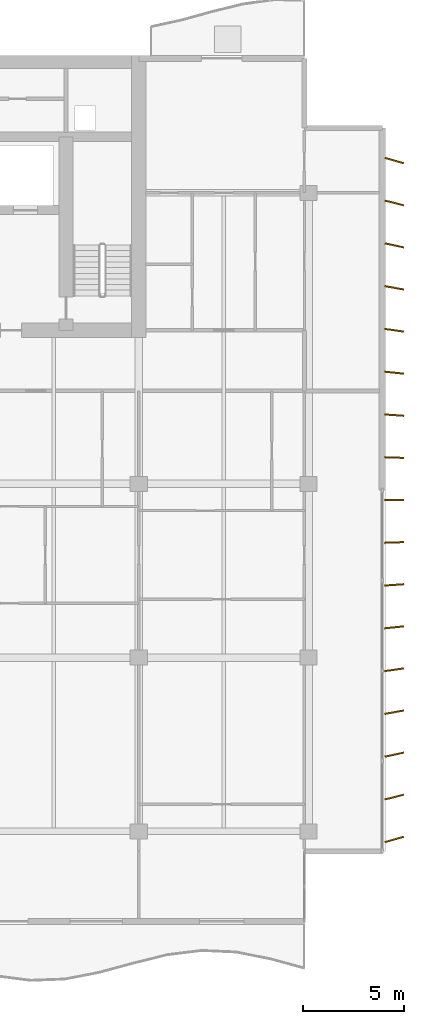
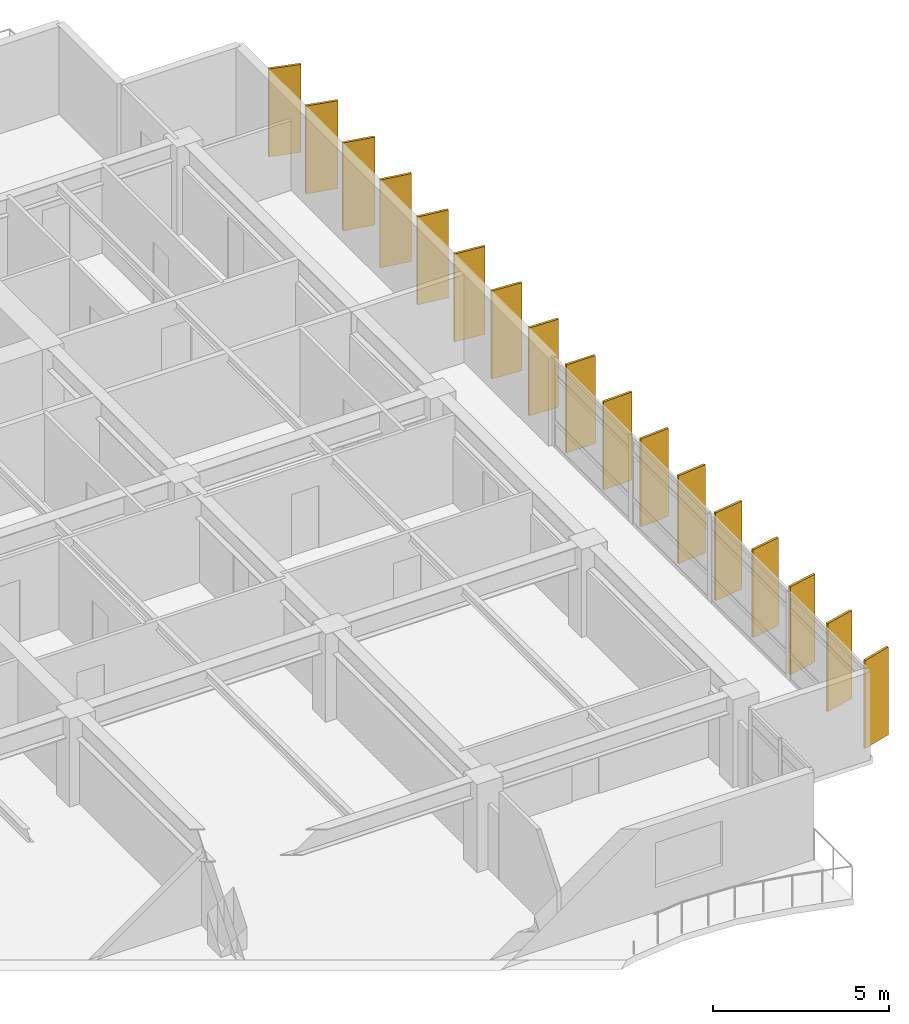
# One storey, part 16 of 16: 17 shading devices.
"""IFC4 building model written with IfcOpenShell, lengths in metres."""

from ifc_helpers import new_model, si_unit, direction, frame, origin, origin_2d, place, context, subcontext, project, spatial, rectangle, extrude, material, material_profile, profile_set, type_object, element, save


model = new_model("IFC4")

# Units and contexts
model_context = context("Model", 3, precision=1e-05, world=origin(), true_north=direction((0.0, 1.0)))
body_context = subcontext(model_context, "Body", "Model", "MODEL_VIEW")
ifc_project = project(units=[si_unit("LENGTHUNIT", "METRE"), si_unit("AREAUNIT", "SQUARE_METRE"), si_unit("VOLUMEUNIT", "CUBIC_METRE"), si_unit("PLANEANGLEUNIT", "RADIAN"), si_unit("MASSUNIT", "GRAM", prefix="KILO")], contexts=[model_context])

# Site, building, storey
site_placement = place(None, origin())
site = spatial("IfcSite", under=ifc_project, at=site_placement, CompositionType="ELEMENT")
building_placement = place(site_placement, origin())
building = spatial("IfcBuilding", under=site, at=building_placement, Name="Caelmar Bay Residences", CompositionType="ELEMENT")
storey_placement = place(building_placement, frame((0.0, 0.0, 211.5)))
storey = spatial("IfcBuildingStorey", under=building, at=storey_placement, Name="L59", CompositionType="ELEMENT", Elevation=211.5)

# Shading devices
ifc_material = material(Name="Anodised architectural bronze aluminium 6063-T6", Category="aluminium")
ifc_material_profile = material_profile(ifc_material, rectangle(XDim=0.074951171875, YDim=0.949951171875, at=origin_2d()), Name="BRONZE-FIN-75X950")
ifc_profile_set = profile_set([ifc_material_profile], Name="Anodised architectural bronze aluminium 6063-T6")
shading_device_type = type_object("IfcShadingDeviceType", Name="SHD-FIN-950", PredefinedType="USERDEFINED", material=ifc_profile_set)
for number, where, z_axis, x_axis, name in (
    (1, (72.14990234375, 11.800048828125, 0.0), (0.0, 0.0, 1.0), (-0.275637355817, 0.961261695938, 0.0), "L59 East Bronze Solar Fin 1"),
    (2, (72.14990234375, 13.89990234375, 0.0), (0.0, 0.0, 1.0), (-0.2419218956, 0.970295726276, 0.0), "L59 East Bronze Solar Fin 2"),
    (3, (72.14990234375, 16.0, 0.0), (0.0, 0.0, 1.0), (-0.207911690818, 0.978147600734, 0.0), "L59 East Bronze Solar Fin 3"),
    (4, (72.14990234375, 18.10009765625, 0.0), (0.0, 0.0, 1.0), (-0.173648177667, 0.984807753012, 0.0), "L59 East Bronze Solar Fin 4"),
    (5, (72.14990234375, 20.199951171875, 0.0), (0.0, 0.0, 1.0), (-0.13917310096, 0.990268068742, 0.0), "L59 East Bronze Solar Fin 5"),
    (6, (72.14990234375, 22.300048828125, 0.0), (0.0, 0.0, 1.0), (-0.104528463268, 0.994521895368, 0.0), "L59 East Bronze Solar Fin 6"),
    (7, (72.14990234375, 24.39990234375, 0.0), (0.0, 0.0, 1.0), (-0.069756473744, 0.99756405026, 0.0), "L59 East Bronze Solar Fin 7"),
    (8, (72.14990234375, 26.5, 0.0), (0.0, 0.0, 1.0), (-0.034899496703, 0.999390827019, 0.0), "L59 East Bronze Solar Fin 8"),
    (9, (72.14990234375, 28.60009765625, 0.0), (0.0, 0.0, 1.0), (0.0, 1.0, 0.0), "L59 East Bronze Solar Fin 9"),
    (10, (72.14990234375, 30.699951171875, 0.0), (0.0, 0.0, 1.0), (0.034899496703, 0.999390827019, 0.0), "L59 East Bronze Solar Fin 10"),
    (11, (72.14990234375, 32.800048828125, 0.0), (0.0, 0.0, 1.0), (0.069756473744, 0.99756405026, 0.0), "L59 East Bronze Solar Fin 11"),
    (12, (72.14990234375, 34.89990234375, 0.0), (0.0, 0.0, 1.0), (0.104528463268, 0.994521895368, 0.0), "L59 East Bronze Solar Fin 12"),
    (13, (72.14990234375, 37.0, 0.0), (0.0, 0.0, 1.0), (0.13917310096, 0.990268068742, 0.0), "L59 East Bronze Solar Fin 13"),
    (14, (72.14990234375, 39.10009765625, 0.0), (0.0, 0.0, 1.0), (0.173648177667, 0.984807753012, 0.0), "L59 East Bronze Solar Fin 14"),
    (15, (72.14990234375, 41.199951171875, 0.0), (0.0, 0.0, 1.0), (0.207911690818, 0.978147600734, 0.0), "L59 East Bronze Solar Fin 15"),
    (16, (72.14990234375, 43.300048828125, 0.0), (0.0, 0.0, 1.0), (0.2419218956, 0.970295726276, 0.0), "L59 East Bronze Solar Fin 16"),
    (17, (72.14990234375, 45.39990234375, 0.0), (0.0, 0.0, 1.0), (0.275637355817, 0.961261695938, 0.0), "L59 East Bronze Solar Fin 17"),
):
    element("IfcShadingDevice", number, at=place(storey_placement, frame(where, z_axis=z_axis, x_axis=x_axis)), inside=storey, type_object=shading_device_type, Name=name, ObjectType="FIN", PredefinedType="USERDEFINED", context=body_context, shape_type="SweptSolid", body=[
        extrude(rectangle(XDim=0.074951171875, YDim=0.949951171875, at=origin_2d()), origin(), (0.0, 0.0, 1.0), 3.050048828125),
    ])

save(model, "model.ifc")
